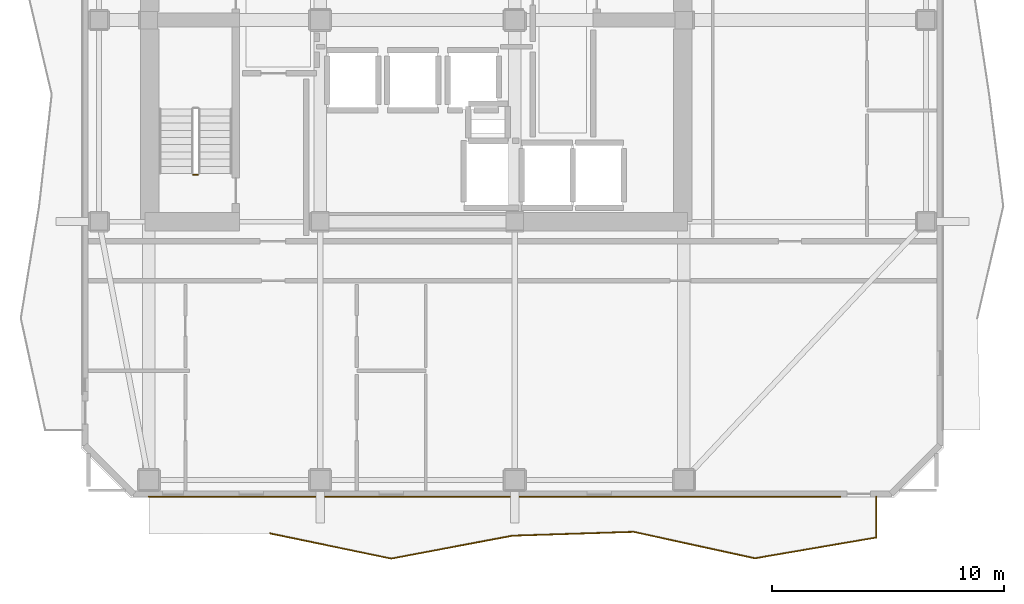
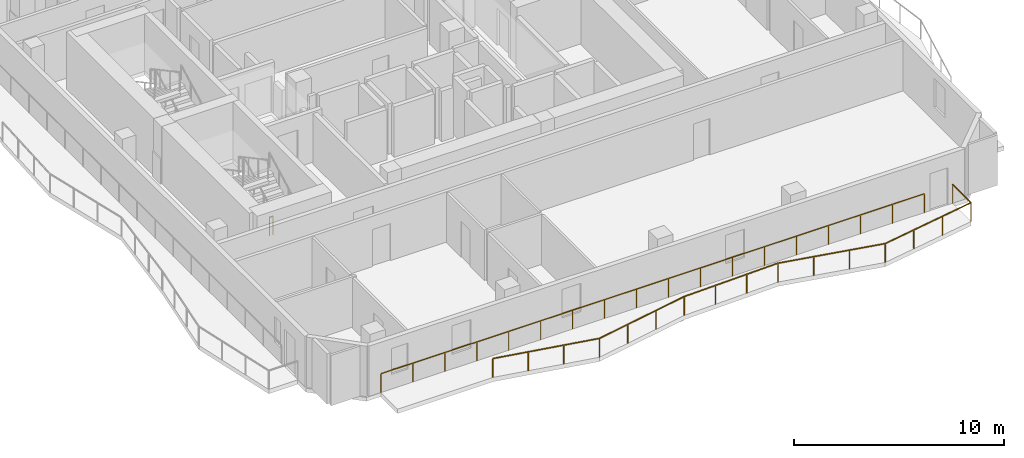
# One storey, part 7 of 9: 3 railings.
"""IFC4 building model written with IfcOpenShell, lengths in metres."""

from ifc_helpers import new_model, si_unit, direction, frame, origin, origin_2d, place, context, subcontext, project, spatial, rectangle, extrude, material, type_object, element, save


model = new_model("IFC4")

# Units and contexts
model_context = context("Model", 3, precision=1e-05, world=origin(), true_north=direction((0.0, 1.0)))
body_context = subcontext(model_context, "Body", "Model", "MODEL_VIEW")
ifc_project = project(units=[si_unit("LENGTHUNIT", "METRE"), si_unit("AREAUNIT", "SQUARE_METRE"), si_unit("VOLUMEUNIT", "CUBIC_METRE"), si_unit("PLANEANGLEUNIT", "RADIAN"), si_unit("MASSUNIT", "GRAM", prefix="KILO")], contexts=[model_context])

# Site, building, storey
site_placement = place(None, origin())
site = spatial("IfcSite", under=ifc_project, at=site_placement, CompositionType="ELEMENT")
building_placement = place(site_placement, origin())
building = spatial("IfcBuilding", under=site, at=building_placement, Name="Solanera Arch Residences", CompositionType="ELEMENT")
storey_placement = place(building_placement, frame((0.0, 0.0, 223.360107421875)))
storey = spatial("IfcBuildingStorey", under=building, at=storey_placement, Name="L65", CompositionType="ELEMENT", Elevation=223.360107421875)

# Railings
ifc_material_1 = material(Name="Steel S355 (ASTM A992 / A572 Grade 50)", Category="steel")
railing_type_1 = type_object("IfcRailingType", Name="Balustrade Railing BL-1100", PredefinedType="BALUSTRADE", material=ifc_material_1)
railing_1_placement = place(storey_placement, frame((18.633056640625, 8.5390625, 0.0)))
element("IfcRailing", 1, at=railing_1_placement, inside=storey, type_object=railing_type_1, Name="L65 S Balcony Balustrade 1", PredefinedType="BALUSTRADE", context=body_context, shape_type="SweptSolid", body=[
    extrude(rectangle(XDim=0.048095703125, YDim=0.048095703125, at=origin_2d()), frame((0.0, 0.0, 1.09619140625), z_axis=(0.979101075477, -0.203374246156, 0.0), x_axis=(0.203374246156, 0.979101075477, 0.0)), (0.0, 0.0, 1.0), 5.345703125),
    extrude(rectangle(XDim=0.048095703125, YDim=0.048095703125, at=origin_2d()), frame((5.23388671875, -1.087158203125, 1.09619140625), z_axis=(0.982639426588, 0.185525624418, 0.0), x_axis=(-0.185525624418, 0.982639426588, 0.0)), (0.0, 0.0, 1.0), 5.32568359375),
    extrude(rectangle(XDim=0.048095703125, YDim=0.048095703125, at=origin_2d()), frame((10.467041015625, -0.09912109375, 1.09619140625), z_axis=(0.999491203394, 0.031895678974, 0.0), x_axis=(-0.031895678974, 0.999491203394, 0.0)), (0.0, 0.0, 1.0), 5.235595703125),
    extrude(rectangle(XDim=0.048095703125, YDim=0.048095703125, at=origin_2d()), frame((15.699951171875, 0.06787109375, 1.09619140625), z_axis=(0.976981407639, -0.213324469128, 0.0), x_axis=(0.213324469128, 0.976981407639, 0.0)), (0.0, 0.0, 1.0), 5.357177734375),
    extrude(rectangle(XDim=0.048095703125, YDim=0.048095703125, at=origin_2d()), frame((20.933837890625, -1.074951171875, 1.09619140625), z_axis=(0.985595989074, 0.169116960477, 0.0), x_axis=(-0.169116960477, 0.985595989074, 0.0)), (0.0, 0.0, 1.0), 5.3095703125),
    extrude(rectangle(XDim=0.048095703125, YDim=0.048095703125, at=origin_2d()), frame((26.1669921875, -0.177001953125, 1.09619140625), z_axis=(0.0, 1.0, 0.0), x_axis=(-1.0, 0.0, 0.0)), (0.0, 0.0, 1.0), 1.758056640625),
    extrude(rectangle(XDim=0.0419921875, YDim=0.0419921875, at=origin_2d()), origin(), (0.0, 0.0, 1.0), 1.072021484375),
    extrude(rectangle(XDim=0.0419921875, YDim=0.0419921875, at=origin_2d()), frame((1.74462890625, -0.3623046875, 0.0)), (0.0, 0.0, 1.0), 1.072021484375),
    extrude(rectangle(XDim=0.0419921875, YDim=0.0419921875, at=origin_2d()), frame((3.4892578125, -0.724853515625, 0.0)), (0.0, 0.0, 1.0), 1.072021484375),
    extrude(rectangle(XDim=0.0419921875, YDim=0.0419921875, at=origin_2d()), frame((5.23388671875, -1.087158203125, 0.0)), (0.0, 0.0, 1.0), 1.072021484375),
    extrude(rectangle(XDim=0.0419921875, YDim=0.0419921875, at=origin_2d()), frame((6.978271484375, -0.7578125, 0.0)), (0.0, 0.0, 1.0), 1.072021484375),
    extrude(rectangle(XDim=0.0419921875, YDim=0.0419921875, at=origin_2d()), frame((8.72265625, -0.428466796875, 0.0)), (0.0, 0.0, 1.0), 1.072021484375),
    extrude(rectangle(XDim=0.0419921875, YDim=0.0419921875, at=origin_2d()), frame((10.467041015625, -0.09912109375, 0.0)), (0.0, 0.0, 1.0), 1.072021484375),
    extrude(rectangle(XDim=0.0419921875, YDim=0.0419921875, at=origin_2d()), frame((12.21142578125, -0.04345703125, 0.0)), (0.0, 0.0, 1.0), 1.072021484375),
    extrude(rectangle(XDim=0.0419921875, YDim=0.0419921875, at=origin_2d()), frame((13.95556640625, 0.01220703125, 0.0)), (0.0, 0.0, 1.0), 1.072021484375),
    extrude(rectangle(XDim=0.0419921875, YDim=0.0419921875, at=origin_2d()), frame((15.699951171875, 0.06787109375, 0.0)), (0.0, 0.0, 1.0), 1.072021484375),
    extrude(rectangle(XDim=0.0419921875, YDim=0.0419921875, at=origin_2d()), frame((17.444580078125, -0.31298828125, 0.0)), (0.0, 0.0, 1.0), 1.072021484375),
    extrude(rectangle(XDim=0.0419921875, YDim=0.0419921875, at=origin_2d()), frame((19.189208984375, -0.694091796875, 0.0)), (0.0, 0.0, 1.0), 1.072021484375),
    extrude(rectangle(XDim=0.0419921875, YDim=0.0419921875, at=origin_2d()), frame((20.933837890625, -1.074951171875, 0.0)), (0.0, 0.0, 1.0), 1.072021484375),
    extrude(rectangle(XDim=0.0419921875, YDim=0.0419921875, at=origin_2d()), frame((22.67822265625, -0.775634765625, 0.0)), (0.0, 0.0, 1.0), 1.072021484375),
    extrude(rectangle(XDim=0.0419921875, YDim=0.0419921875, at=origin_2d()), frame((24.422607421875, -0.476318359375, 0.0)), (0.0, 0.0, 1.0), 1.072021484375),
    extrude(rectangle(XDim=0.0419921875, YDim=0.0419921875, at=origin_2d()), frame((26.1669921875, -0.177001953125, 0.0)), (0.0, 0.0, 1.0), 1.072021484375),
    extrude(rectangle(XDim=0.0419921875, YDim=0.0419921875, at=origin_2d()), frame((26.1669921875, 1.5810546875, 0.0)), (0.0, 0.0, 1.0), 1.072021484375),
])
railing_2_placement = place(storey_placement, frame((43.248046875, 10.1201171875, 0.0)))
element("IfcRailing", 2, at=railing_2_placement, inside=storey, type_object=railing_type_1, Name="L65 S Balcony Balustrade 2", PredefinedType="BALUSTRADE", context=body_context, shape_type="SweptSolid", body=[
    extrude(rectangle(XDim=0.048095703125, YDim=0.048095703125, at=origin_2d()), frame((0.0, 0.0, 1.09619140625), z_axis=(-1.0, 0.0, 0.0), x_axis=(0.0, -1.0, 0.0)), (0.0, 0.0, 1.0), 29.84814453125),
    extrude(rectangle(XDim=0.0419921875, YDim=0.0419921875, at=origin_2d()), origin(), (0.0, 0.0, 1.0), 1.072021484375),
    extrude(rectangle(XDim=0.0419921875, YDim=0.0419921875, at=origin_2d()), frame((-1.755859375, 0.0, 0.0)), (0.0, 0.0, 1.0), 1.072021484375),
    extrude(rectangle(XDim=0.0419921875, YDim=0.0419921875, at=origin_2d()), frame((-3.511474609375, 0.0, 0.0)), (0.0, 0.0, 1.0), 1.072021484375),
    extrude(rectangle(XDim=0.0419921875, YDim=0.0419921875, at=origin_2d()), frame((-5.267333984375, 0.0, 0.0)), (0.0, 0.0, 1.0), 1.072021484375),
    extrude(rectangle(XDim=0.0419921875, YDim=0.0419921875, at=origin_2d()), frame((-7.023193359375, 0.0, 0.0)), (0.0, 0.0, 1.0), 1.072021484375),
    extrude(rectangle(XDim=0.0419921875, YDim=0.0419921875, at=origin_2d()), frame((-8.77880859375, 0.0, 0.0)), (0.0, 0.0, 1.0), 1.072021484375),
    extrude(rectangle(XDim=0.0419921875, YDim=0.0419921875, at=origin_2d()), frame((-10.53466796875, 0.0, 0.0)), (0.0, 0.0, 1.0), 1.072021484375),
    extrude(rectangle(XDim=0.0419921875, YDim=0.0419921875, at=origin_2d()), frame((-12.29052734375, 0.0, 0.0)), (0.0, 0.0, 1.0), 1.072021484375),
    extrude(rectangle(XDim=0.0419921875, YDim=0.0419921875, at=origin_2d()), frame((-14.046142578125, 0.0, 0.0)), (0.0, 0.0, 1.0), 1.072021484375),
    extrude(rectangle(XDim=0.0419921875, YDim=0.0419921875, at=origin_2d()), frame((-15.802001953125, 0.0, 0.0)), (0.0, 0.0, 1.0), 1.072021484375),
    extrude(rectangle(XDim=0.0419921875, YDim=0.0419921875, at=origin_2d()), frame((-17.5576171875, 0.0, 0.0)), (0.0, 0.0, 1.0), 1.072021484375),
    extrude(rectangle(XDim=0.0419921875, YDim=0.0419921875, at=origin_2d()), frame((-19.3134765625, 0.0, 0.0)), (0.0, 0.0, 1.0), 1.072021484375),
    extrude(rectangle(XDim=0.0419921875, YDim=0.0419921875, at=origin_2d()), frame((-21.0693359375, 0.0, 0.0)), (0.0, 0.0, 1.0), 1.072021484375),
    extrude(rectangle(XDim=0.0419921875, YDim=0.0419921875, at=origin_2d()), frame((-22.824951171875, 0.0, 0.0)), (0.0, 0.0, 1.0), 1.072021484375),
    extrude(rectangle(XDim=0.0419921875, YDim=0.0419921875, at=origin_2d()), frame((-24.580810546875, 0.0, 0.0)), (0.0, 0.0, 1.0), 1.072021484375),
    extrude(rectangle(XDim=0.0419921875, YDim=0.0419921875, at=origin_2d()), frame((-26.336669921875, 0.0, 0.0)), (0.0, 0.0, 1.0), 1.072021484375),
    extrude(rectangle(XDim=0.0419921875, YDim=0.0419921875, at=origin_2d()), frame((-28.09228515625, 0.0, 0.0)), (0.0, 0.0, 1.0), 1.072021484375),
    extrude(rectangle(XDim=0.0419921875, YDim=0.0419921875, at=origin_2d()), frame((-29.84814453125, 0.0, 0.0)), (0.0, 0.0, 1.0), 1.072021484375),
])
ifc_material_2 = material(Name="Steel S355 (ASTM A992 / A572 Grade 50)", Category="steel")
railing_type_2 = type_object("IfcRailingType", Name="Stair Guardrail GR-1100", PredefinedType="GUARDRAIL", material=ifc_material_2)
railing_3_placement = place(storey_placement, frame((15.52001953125, 24.030029296875, -0.01513671875)))
element("IfcRailing", 3, at=railing_3_placement, inside=storey, type_object=railing_type_2, Name="L65 ST-T3 stair guard 4", PredefinedType="GUARDRAIL", context=body_context, shape_type="SweptSolid", body=[
    extrude(rectangle(XDim=0.048095703125, YDim=0.048095703125, at=origin_2d()), frame((0.0, 0.0, 1.076171875), z_axis=(-1.0, 0.0, 0.0), x_axis=(0.0, -1.0, 0.0)), (0.0, 0.0, 1.0), 0.199951171875),
    extrude(rectangle(XDim=0.0419921875, YDim=0.0419921875, at=origin_2d()), origin(), (0.0, 0.0, 1.0), 1.052001953125),
    extrude(rectangle(XDim=0.0419921875, YDim=0.0419921875, at=origin_2d()), frame((-0.199951171875, 0.0, 0.0)), (0.0, 0.0, 1.0), 1.052001953125),
])

save(model, "model.ifc")
